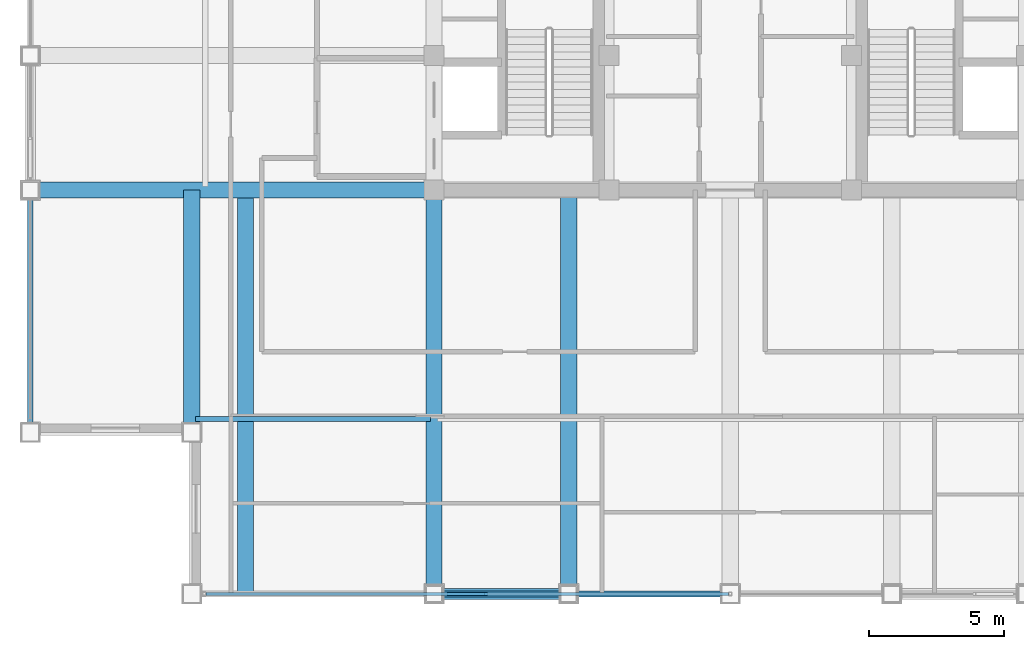
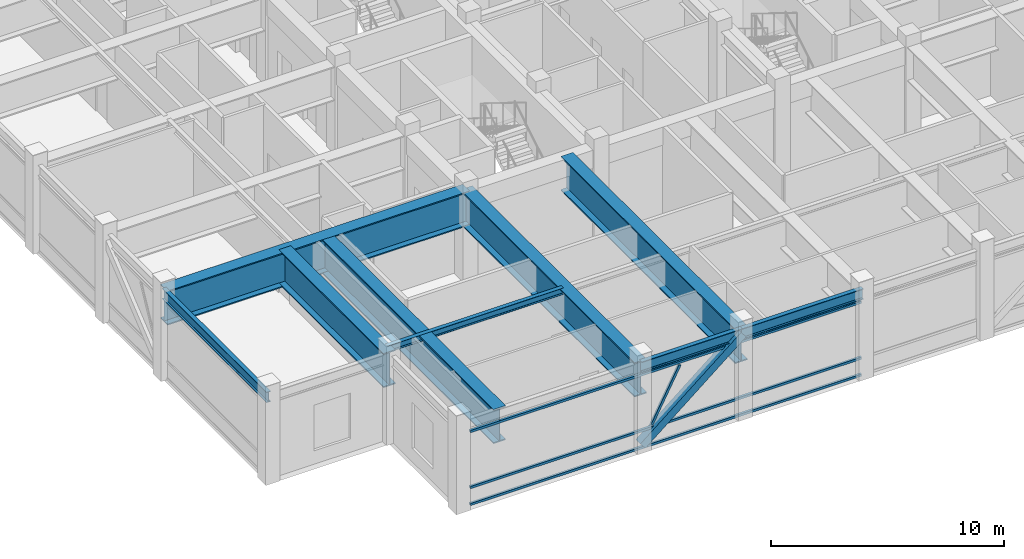
# One storey, part 3 of 29: 9 beams, 5 members, 1 element without a shape of its own.
"""IFC4 building model written with IfcOpenShell, lengths in metres."""

from ifc_helpers import new_model, si_unit, direction, frame, origin, origin_2d, place, context, subcontext, project, spatial, hollow_rectangle, i_section, extrude, source, transform, mapped, material, material_profile, profile_set, type_object, element, aggregate, save


model = new_model("IFC4")

# Units and contexts
model_context = context("Model", 3, precision=1e-05, world=origin(), true_north=direction((0.0, 1.0)))
body_context = subcontext(model_context, "Body", "Model", "MODEL_VIEW")
ifc_project = project(units=[si_unit("LENGTHUNIT", "METRE"), si_unit("AREAUNIT", "SQUARE_METRE"), si_unit("VOLUMEUNIT", "CUBIC_METRE"), si_unit("PLANEANGLEUNIT", "RADIAN"), si_unit("MASSUNIT", "GRAM", prefix="KILO")], contexts=[model_context])

# Site, building, storey
site_placement = place(None, origin())
site = spatial("IfcSite", under=ifc_project, at=site_placement, CompositionType="ELEMENT")
building_placement = place(site_placement, origin())
building = spatial("IfcBuilding", under=site, at=building_placement, Name="Khorayat Bourse Tower", CompositionType="ELEMENT")
storey_placement = place(building_placement, frame((0.0, 0.0, 370.300048828125)))
storey = spatial("IfcBuildingStorey", under=building, at=storey_placement, Name="L88", CompositionType="ELEMENT", Elevation=370.300048828125)

# Beams
ifc_material_1 = material(Name="Steel ASTM A992 Grade 50", Category="steel")
ifc_material_profile_1 = material_profile(ifc_material_1, i_section(OverallWidth=0.214111328125, OverallDepth=0.549072265625, WebThickness=0.0146484375, FlangeThickness=0.023681640625, FilletRadius=0.013916015625, at=origin_2d()), Name="W530X138")
ifc_profile_set_1 = profile_set([ifc_material_profile_1], Name="Steel ASTM A992 Grade 50")
beam_type_1 = type_object("IfcBeamType", Name="BM-SPAN-530", PredefinedType="SPANDREL", material=ifc_profile_set_1)
shared_shape_1 = source(origin(), body_context, "Body", "SweptSolid", [
    extrude(i_section(OverallWidth=0.214111328125, OverallDepth=0.549072265625, WebThickness=0.0146484375, FlangeThickness=0.023681640625, FilletRadius=0.013916015625, at=origin_2d()), origin(), (0.0, 0.0, 1.0), 9.0),
])
beam_1_placement = place(storey_placement, frame((-26.0, -20.0, 4.325439453125), z_axis=(0.0, 1.0, 0.0), x_axis=(-1.0, 0.0, 0.0)))
element("IfcBeam", 1, at=beam_1_placement, inside=storey, type_object=beam_type_1, Name="L88 BM-SPAN-530 BM-L88-SPN-053", PredefinedType="SPANDREL", context=body_context, shape_type="MappedRepresentation", body=[
    mapped(shared_shape_1, transform((0.0, 0.0, 0.0), scale=1.0)),
])
shared_shape_2 = source(origin(), body_context, "Body", "SweptSolid", [
    extrude(i_section(OverallWidth=0.214111328125, OverallDepth=0.549072265625, WebThickness=0.0146484375, FlangeThickness=0.023681640625, FilletRadius=0.013916015625, at=origin_2d()), origin(), (0.0, 0.0, 1.0), 5.0),
])
beam_2_placement = place(storey_placement, frame((-11.0, -26.0, 4.325439453125), z_axis=(1.0, 0.0, 0.0), x_axis=(0.0, 1.0, 0.0)))
element("IfcBeam", 2, at=beam_2_placement, inside=storey, type_object=beam_type_1, Name="L88 BM-SPAN-530 BM-L88-SPN-025", PredefinedType="SPANDREL", context=body_context, shape_type="MappedRepresentation", body=[
    mapped(shared_shape_2, transform((0.0, 0.0, 0.0), scale=1.0)),
])
shared_shape_3 = source(origin(), body_context, "Body", "SweptSolid", [
    extrude(i_section(OverallWidth=0.214111328125, OverallDepth=0.549072265625, WebThickness=0.0146484375, FlangeThickness=0.023681640625, FilletRadius=0.013916015625, at=origin_2d()), origin(), (0.0, 0.0, 1.0), 6.0),
])
beam_3_placement = place(storey_placement, frame((-6.0, -26.0, 4.325439453125), z_axis=(1.0, 0.0, 0.0), x_axis=(0.0, 1.0, 0.0)))
element("IfcBeam", 3, at=beam_3_placement, inside=storey, type_object=beam_type_1, Name="L88 BM-SPAN-530 BM-L88-SPN-026", PredefinedType="SPANDREL", context=body_context, shape_type="MappedRepresentation", body=[
    mapped(shared_shape_3, transform((0.0, 0.0, 0.0), scale=1.0)),
])
ifc_material_profile_2 = material_profile(ifc_material_1, i_section(OverallWidth=0.202880859375, OverallDepth=0.346923828125, WebThickness=0.0078125, FlangeThickness=0.013427734375, FilletRadius=0.010009765625, at=origin_2d()), Name="W360X64")
ifc_profile_set_2 = profile_set([ifc_material_profile_2], Name="Steel ASTM A992 Grade 50")
beam_type_2 = type_object("IfcBeamType", Name="BM-JOIST-360", PredefinedType="JOIST", material=ifc_profile_set_2)
shared_shape_4 = source(origin(), body_context, "Body", "SweptSolid", [
    extrude(i_section(OverallWidth=0.202880859375, OverallDepth=0.346923828125, WebThickness=0.0078125, FlangeThickness=0.013427734375, FilletRadius=0.010009765625, at=origin_2d()), origin(), (0.0, 0.0, 1.0), 8.740234375),
])
beam_4_placement = place(storey_placement, frame((-19.8701171875, -19.5, 4.426513671875), z_axis=(1.0, 0.0, 0.0), x_axis=(0.0, 1.0, 0.0)))
element("IfcBeam", 4, at=beam_4_placement, inside=storey, type_object=beam_type_2, Name="L88 BM-JOIST-360 BM-L88-JSTX-088", PredefinedType="JOIST", context=body_context, shape_type="MappedRepresentation", body=[
    mapped(shared_shape_4, transform((0.0, 0.0, 0.0), scale=1.0)),
])
ifc_material_2 = material(Name="Steel EN 10025-4 S460M", Category="steel")
ifc_material_profile_3 = material_profile(ifc_material_2, i_section(OverallWidth=0.60009765625, OverallDepth=1.800048828125, WebThickness=0.031982421875, FlangeThickness=0.06005859375, at=origin_2d()), Name="PG 1800x600x32x60")
ifc_profile_set_3 = profile_set([ifc_material_profile_3], Name="Steel EN 10025-4 S460M")
beam_type_3 = type_object("IfcBeamType", Name="BM-TR-1800", PredefinedType="BEAM", material=ifc_profile_set_3)
shared_shape_5 = source(origin(), body_context, "Body", "SweptSolid", [
    extrude(i_section(OverallWidth=0.60009765625, OverallDepth=1.800048828125, WebThickness=0.031982421875, FlangeThickness=0.06005859375, at=origin_2d()), origin(), (0.0, 0.0, 1.0), 15.0),
])
for number, where, z_axis, x_axis, name in (
    (5, (-11.0, -26.0, 3.699951171875), (0.0, 1.0, 0.0), (-1.0, 0.0, 0.0), "L88 BM-TR-1800 BM-L88-RADY-057"),
    (6, (-6.0, -26.0, 3.699951171875), (0.0, 1.0, 0.0), (-1.0, 0.0, 0.0), "L88 BM-TR-1800 BM-L88-RADY-059"),
    (7, (-26.0, -11.0, 3.699951171875), (1.0, 0.0, 0.0), (0.0, 1.0, 0.0), "L88 BM-TR-1800 BM-L88-RADX-067"),
    (8, (-18.0, -26.0, 3.699951171875), (0.0, 1.0, 0.0), (-1.0, 0.0, 0.0), "L88 BM-TR-1800 BM-L88-CNRY-076"),
):
    element("IfcBeam", number, at=place(storey_placement, frame(where, z_axis=z_axis, x_axis=x_axis)), inside=storey, type_object=beam_type_3, Name=name, PredefinedType="BEAM", context=body_context, shape_type="MappedRepresentation", body=[
        mapped(shared_shape_5, transform((0.0, 0.0, 0.0), scale=1.0)),
    ])
shared_shape_6 = source(origin(), body_context, "Body", "SweptSolid", [
    extrude(i_section(OverallWidth=0.60009765625, OverallDepth=1.800048828125, WebThickness=0.031982421875, FlangeThickness=0.06005859375, at=origin_2d()), origin(), (0.0, 0.0, 1.0), 9.0),
])
beam_5_placement = place(storey_placement, frame((-20.0, -20.0, 3.699951171875), z_axis=(0.0, 1.0, 0.0), x_axis=(-1.0, 0.0, 0.0)))
element("IfcBeam", 9, at=beam_5_placement, inside=storey, type_object=beam_type_3, Name="L88 BM-TR-1800 BM-L88-CNRY-080", PredefinedType="BEAM", context=body_context, shape_type="MappedRepresentation", body=[
    mapped(shared_shape_6, transform((0.0, 0.0, 0.0), scale=1.0)),
])

# Member
ifc_material_profile_4 = material_profile(ifc_material_2, hollow_rectangle(XDim=0.39990234375, YDim=0.39990234375, WallThickness=0.02197265625, at=origin_2d()), Name="HSS 400x400x22")
ifc_profile_set_4 = profile_set([ifc_material_profile_4], Name="Steel EN 10025-4 S460M")
member_type_1 = type_object("IfcMemberType", Name="MBR-TUBE-400", PredefinedType="BRACE", material=ifc_profile_set_4)
shared_shape_7 = source(origin(), body_context, "Body", "SweptSolid", [
    extrude(hollow_rectangle(XDim=0.39990234375, YDim=0.39990234375, WallThickness=0.02197265625, at=origin_2d()), origin(), (0.0, 0.0, 1.0), 6.466064453125),
])
member_1_placement = place(storey_placement, frame((-11.0, -26.0, 0.25), z_axis=(0.773278898257, 0.0, 0.634066041916), x_axis=(0.0, 1.0, 0.0)))
element("IfcMember", 10, at=member_1_placement, inside=storey, type_object=member_type_1, Name="L88 Perimeter Tube Brace 01", PredefinedType="BRACE", context=body_context, shape_type="MappedRepresentation", body=[
    mapped(shared_shape_7, transform((0.0, 0.0, 0.0), scale=1.0)),
])

# Curtain wall, members
ifc_material_3 = material(Name="Aluminium EN AW-6063 T6", Category="aluminium")
curtain_wall_type = type_object("IfcCurtainWallType", Name="CW-SYS-04", PredefinedType="NOTDEFINED", material=ifc_material_3)
curtain_wall_placement = place(storey_placement, origin())
curtain_wall = element("IfcCurtainWall", 11, at=curtain_wall_placement, inside=storey, type_object=curtain_wall_type, Name="L88 Curtain Wall CW-L88-S1", PredefinedType="NOTDEFINED")
ifc_material_profile_5 = material_profile(ifc_material_3, hollow_rectangle(XDim=0.1201171875, YDim=0.1201171875, WallThickness=0.0048828125, at=origin_2d()), Name="ALU 120x120x5")
ifc_profile_set_5 = profile_set([ifc_material_profile_5], Name="Aluminium EN AW-6063 T6")
member_type_2 = type_object("IfcMemberType", Name="CWM-DIAG-120", PredefinedType="MULLION", material=ifc_profile_set_5)
shared_shape_8 = source(origin(), body_context, "Body", "SweptSolid", [
    extrude(hollow_rectangle(XDim=0.1201171875, YDim=0.1201171875, WallThickness=0.0048828125, at=origin_2d()), origin(), (0.0, 0.0, 1.0), 3.006103515625),
])
member_2_placement = place(storey_placement, frame((-10.469970703125, -26.0, 1.08984375), z_axis=(0.465699569312, 0.0, 0.884942885808), x_axis=(0.0, 1.0, 0.0)))
member_2 = element("IfcMember", 12, at=member_2_placement, type_object=member_type_2, Name="CW-L88-S1 Faceted Diagonal Mullion 1", PredefinedType="MULLION", context=body_context, shape_type="MappedRepresentation", body=[
    mapped(shared_shape_8, transform((0.0, 0.0, 0.0), scale=1.0)),
])
ifc_material_profile_6 = material_profile(ifc_material_3, hollow_rectangle(XDim=0.1201171875, YDim=0.1201171875, WallThickness=0.0048828125, at=origin_2d()), Name="ALU 120x120x5")
ifc_profile_set_6 = profile_set([ifc_material_profile_6], Name="Aluminium EN AW-6063 T6")
member_type_3 = type_object("IfcMemberType", Name="CWT-HORZ-120", PredefinedType="USERDEFINED", material=ifc_profile_set_6)
shared_shape_9 = source(origin(), body_context, "Body", "SweptSolid", [
    extrude(hollow_rectangle(XDim=0.1201171875, YDim=0.1201171875, WallThickness=0.0048828125, at=origin_2d()), origin(), (0.0, 0.0, 1.0), 19.419921875),
])
member_3_placement = place(storey_placement, frame((-19.47998046875, -26.0, 0.06005859375), z_axis=(1.0, 0.0, 0.0), x_axis=(0.0, 1.0, 0.0)))
member_3 = element("IfcMember", 13, at=member_3_placement, type_object=member_type_3, Name="CW-L88-S1 Horizontal Transom 1-1", ObjectType="TRANSOM", PredefinedType="USERDEFINED", context=body_context, shape_type="MappedRepresentation", body=[
    mapped(shared_shape_9, transform((0.0, 0.0, 0.0), scale=1.0)),
])
member_4_placement = place(storey_placement, frame((-19.47998046875, -26.0, 0.949951171875), z_axis=(1.0, 0.0, 0.0), x_axis=(0.0, 1.0, 0.0)))
member_4 = element("IfcMember", 14, at=member_4_placement, type_object=member_type_3, Name="CW-L88-S1 Horizontal Transom 1-2", ObjectType="TRANSOM", PredefinedType="USERDEFINED", context=body_context, shape_type="MappedRepresentation", body=[
    mapped(shared_shape_9, transform((0.0, 0.0, 0.0), scale=1.0)),
])
member_5_placement = place(storey_placement, frame((-19.47998046875, -26.0, 3.889892578125), z_axis=(1.0, 0.0, 0.0), x_axis=(0.0, 1.0, 0.0)))
member_5 = element("IfcMember", 15, at=member_5_placement, type_object=member_type_3, Name="CW-L88-S1 Horizontal Transom 1-3", ObjectType="TRANSOM", PredefinedType="USERDEFINED", context=body_context, shape_type="MappedRepresentation", body=[
    mapped(shared_shape_9, transform((0.0, 0.0, 0.0), scale=1.0)),
])
aggregate(curtain_wall, [member_3, member_4, member_5, member_2])

save(model, "model.ifc")
